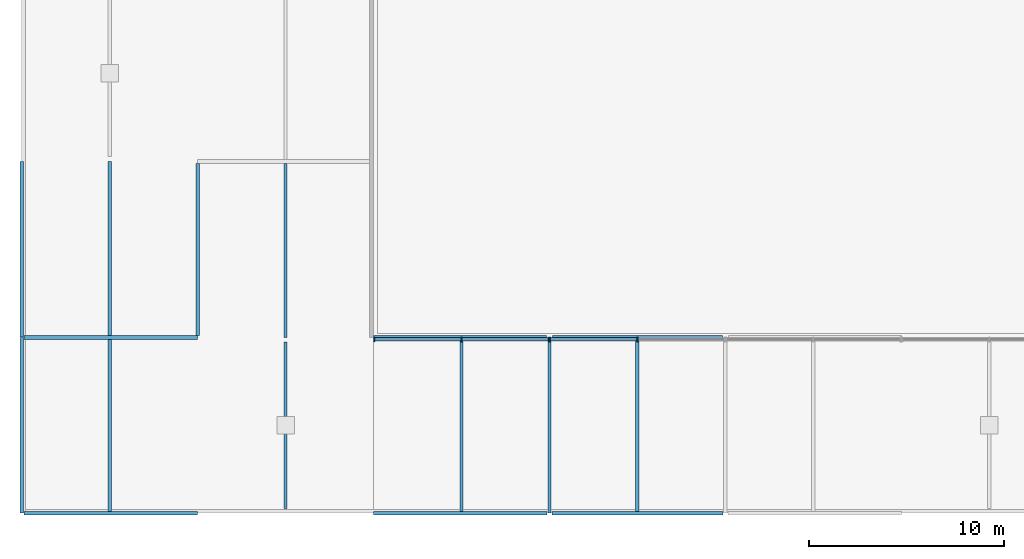
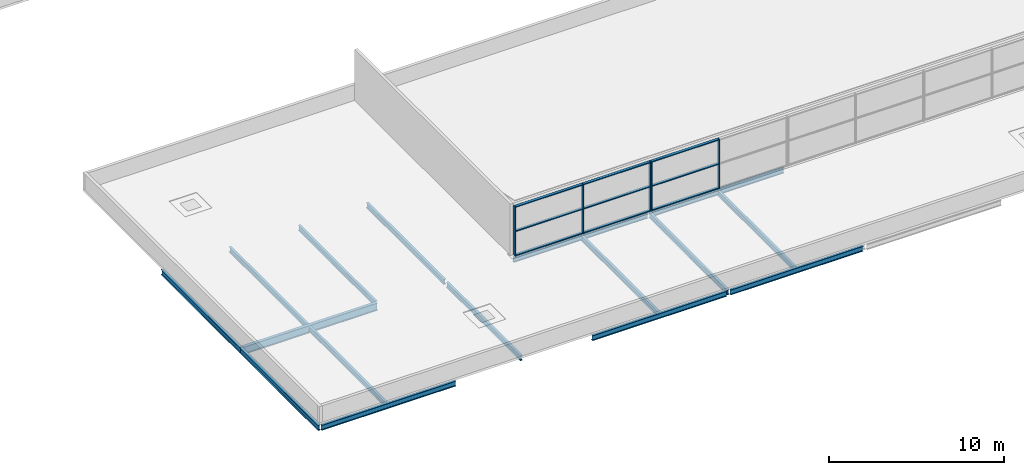
# One storey, part 5 of 50: 16 beams, 14 members, 2 elements without a shape of their own.
"""IFC4 building model written with IfcOpenShell, lengths in metres."""

import ifcopenshell
import ifcopenshell.guid

model = None  # the IFC model being written
_history = None  # IfcOwnerHistory: only IFC2X3 demands one
_inside = {}  # id of a spatial element -> (the spatial element, [elements in it])
_under = {}  # id of a project, library or spatial element -> (it, [spatial elements below it])
_declared = {}  # id of a project -> (the project, [libraries it declares])
_typed = {}  # id of a type object -> (the type object, [elements of that type])
_made_of = {}  # id of a material, layer set ... -> (it, [elements and type objects made of it])


def new_model(schema):
    """Start an empty IFC model of exactly this schema.

    Asked for "IFC4X3", IfcOpenShell would pick the latest addendum, in which some entities
    have other attributes; the version numbers below select the first issue.
    IFC2X3 requires an IfcOwnerHistory on every rooted entity: one is made here for all.
    """
    global model, _history
    if schema == "IFC4X3":
        model = ifcopenshell.file(schema_version=(4, 3, 0, 0))
    else:
        model = ifcopenshell.file(schema=schema)
    _inside.clear()
    _under.clear()
    _declared.clear()
    _typed.clear()
    _made_of.clear()
    _history = None
    if model.schema == "IFC2X3":
        org = make("IfcOrganization", Name="unknown")
        user = make(
            "IfcPersonAndOrganization",
            ThePerson=make("IfcPerson", FamilyName="unknown"),
            TheOrganization=org,
        )
        app = make(
            "IfcApplication",
            ApplicationDeveloper=org,
            Version="unknown",
            ApplicationFullName="unknown",
            ApplicationIdentifier="unknown",
        )
        _history = make(
            "IfcOwnerHistory",
            OwningUser=user,
            OwningApplication=app,
            ChangeAction="ADDED",
            CreationDate=0,
        )
    return model


def make(cls, **values):
    """One entity of the class cls with the attributes given. An attribute that is None is left unset."""
    return model.create_entity(
        cls, **{name: value for name, value in values.items() if value is not None}
    )


def rooted(cls, **values):
    """An entity with a GlobalId (a new one), such as an element, a storey or a relation."""
    return make(cls, GlobalId=ifcopenshell.guid.new(), OwnerHistory=_history, **values)


def si_unit(unit_type, name, prefix=None):
    """IfcSIUnit, for example si_unit("LENGTHUNIT", "METRE", prefix="MILLI")."""
    return make("IfcSIUnit", UnitType=unit_type, Prefix=prefix, Name=name)


def assignment(units):
    """IfcUnitAssignment: the units of a project."""
    return None if units is None else make("IfcUnitAssignment", Units=units)


def point(xyz):
    """IfcCartesianPoint."""
    return None if xyz is None else make("IfcCartesianPoint", Coordinates=xyz)


def direction(xyz):
    """IfcDirection."""
    return None if xyz is None else make("IfcDirection", DirectionRatios=xyz)


def frame(location, z_axis=None, x_axis=None):
    """IfcAxis2Placement3D, a coordinate frame: its origin and axes. An axis left out is left unset."""
    return make(
        "IfcAxis2Placement3D",
        Location=point(location),
        Axis=direction(z_axis),
        RefDirection=direction(x_axis),
    )


def frame_2d(location, x_axis=None):
    """IfcAxis2Placement2D, a coordinate frame in the plane: its origin and x axis."""
    return make(
        "IfcAxis2Placement2D", Location=point(location), RefDirection=direction(x_axis)
    )


def origin():
    """The frame at (0, 0, 0) with its axes left unset."""
    return frame((0.0, 0.0, 0.0))


def origin_2d():
    """The frame at (0, 0) in the plane with its x axis left unset."""
    return frame_2d((0.0, 0.0))


def place(relative_to, where):
    """IfcLocalPlacement: puts the frame where relative to a parent placement (None: the world)."""
    return make(
        "IfcLocalPlacement", PlacementRelTo=relative_to, RelativePlacement=where
    )


def context(
    kind, dimensions, precision=None, world=None, true_north=None, identifier=None
):
    """IfcGeometricRepresentationContext, for example the 3D "Model" context."""
    return make(
        "IfcGeometricRepresentationContext",
        ContextIdentifier=identifier,
        ContextType=kind,
        CoordinateSpaceDimension=dimensions,
        Precision=precision,
        WorldCoordinateSystem=world,
        TrueNorth=true_north,
    )


def subcontext(parent, identifier, kind, view, scale=None):
    """IfcGeometricRepresentationSubContext, for example "Body" below "Model"."""
    return make(
        "IfcGeometricRepresentationSubContext",
        ContextIdentifier=identifier,
        ContextType=kind,
        ParentContext=parent,
        TargetScale=scale,
        TargetView=view,
    )


def project(units=None, contexts=None):
    """IfcProject with its units and contexts."""
    return rooted(
        "IfcProject",
        Name="project",
        RepresentationContexts=contexts,
        UnitsInContext=assignment(units),
    )


def spatial(cls, under=None, at=None, **own):
    """A site, building, storey or space (cls), placed at a placement, below another one or the project."""
    s = rooted(cls, ObjectPlacement=at, **own)
    if under is not None:
        _under.setdefault(under.id(), (under, []))[1].append(s)
    return s


def profile(cls, at=None, kind="AREA", **sizes):
    """A parametric profile (cls). Its sizes go by their IFC names, for example OverallWidth=200.0."""
    return make(cls, ProfileType=kind, Position=at, **sizes)


def rectangle(**sizes):
    """IfcRectangleProfileDef."""
    return profile("IfcRectangleProfileDef", **sizes)


def i_section(**sizes):
    """IfcIShapeProfileDef."""
    return profile("IfcIShapeProfileDef", **sizes)


def extrude(swept, where, along, depth):
    """IfcExtrudedAreaSolid: the profile swept, set in the frame where, extruded along a direction by depth."""
    return make(
        "IfcExtrudedAreaSolid",
        SweptArea=swept,
        Position=where,
        ExtrudedDirection=direction(along),
        Depth=depth,
    )


def shape(context_of_items, identifier, shape_type, items):
    """IfcShapeRepresentation: the items that make up one representation, for example the "Body"."""
    return make(
        "IfcShapeRepresentation",
        ContextOfItems=context_of_items,
        RepresentationIdentifier=identifier,
        RepresentationType=shape_type,
        Items=items,
    )


def material(Name=None, Category=None):
    """IfcMaterial."""
    return make("IfcMaterial", Name=Name, Category=Category)


def layer(
    of_material, thickness, ventilated=None, Name=None, Category=None, Priority=None
):
    """IfcMaterialLayer: one layer of a wall or slab, of a material (None: an air gap)."""
    return make(
        "IfcMaterialLayer",
        Material=of_material,
        LayerThickness=thickness,
        IsVentilated=ventilated,
        Name=Name,
        Category=Category,
        Priority=Priority,
    )


def layer_set(layers, Name=None):
    """IfcMaterialLayerSet."""
    return make("IfcMaterialLayerSet", MaterialLayers=layers, LayerSetName=Name)


def material_profile(
    of_material, cross_section, Name=None, Category=None, Priority=None
):
    """IfcMaterialProfile: a cross section and its material."""
    return make(
        "IfcMaterialProfile",
        Name=Name,
        Material=of_material,
        Profile=cross_section,
        Priority=Priority,
        Category=Category,
    )


def profile_set(profiles, Name=None, composite=None):
    """IfcMaterialProfileSet."""
    return make(
        "IfcMaterialProfileSet",
        Name=Name,
        MaterialProfiles=profiles,
        CompositeProfile=composite,
    )


def made_of(thing, what):
    """Note that an element or type object is made of a material, layer set ...; save() writes the relation."""
    if what is not None:
        _made_of.setdefault(what.id(), (what, []))[1].append(thing)
    return thing


def type_object(cls, material=None, **own):
    """A type object (cls), such as IfcWallType, which elements share."""
    return made_of(rooted(cls, **own), material)


def element(
    cls,
    number,
    at=None,
    inside=None,
    cuts=None,
    type_object=None,
    material=None,
    context=None,
    identifier="Body",
    shape_type=None,
    held_by="IfcProductDefinitionShape",
    body=None,
    shapes=None,
    **own,
):
    """One element of the class cls, such as IfcWall. Its Tag is "e" and its number.

    at: its placement. inside: the storey or other place that contains it. cuts: it is an
    opening in that element (IfcRelVoidsElement). A single representation is given by context,
    identifier, shape_type and body (its items); several are given by shapes. held_by: the class
    of the entity that holds the representations. save() writes the other relations.
    """
    e = rooted(cls, Tag="e%d" % number, ObjectPlacement=at, **own)
    if body is not None:
        shapes = [shape(context, identifier, shape_type, body)]
    if shapes is not None:
        e.Representation = make(held_by, Representations=shapes)
    if inside is not None:
        _inside.setdefault(inside.id(), (inside, []))[1].append(e)
    if cuts is not None:
        rooted(
            "IfcRelVoidsElement", RelatingBuildingElement=cuts, RelatedOpeningElement=e
        )
    if type_object is not None:
        _typed.setdefault(type_object.id(), (type_object, []))[1].append(e)
    return made_of(e, material)


def aggregate(whole, parts):
    """IfcRelAggregates: a whole, such as a stair, and the parts it consists of."""
    return rooted("IfcRelAggregates", RelatingObject=whole, RelatedObjects=parts)


def save(model, path):
    """Write the relations noted so far, then the file.

    IfcRelAggregates (storeys below a building ...), IfcRelContainedInSpatialStructure (elements
    in a storey), IfcRelDefinesByType, IfcRelAssociatesMaterial and IfcRelDeclares: one each for
    every whole, place, type object, material and project.
    """
    for whole, parts in _under.values():
        aggregate(whole, parts)
    for where, things in _inside.values():
        rooted(
            "IfcRelContainedInSpatialStructure",
            RelatedElements=things,
            RelatingStructure=where,
        )
    for kind, things in _typed.values():
        rooted("IfcRelDefinesByType", RelatedObjects=things, RelatingType=kind)
    for what, things in _made_of.values():
        rooted("IfcRelAssociatesMaterial", RelatedObjects=things, RelatingMaterial=what)
    for by, libraries in _declared.values():
        rooted("IfcRelDeclares", RelatingContext=by, RelatedDefinitions=libraries)
    model.write(path)


model = new_model("IFC4")

# Units and contexts
model_context = context("Model", 3, precision=1e-05, world=origin(), true_north=direction((0.0, 1.0)))
body_context = subcontext(model_context, "Body", "Model", "MODEL_VIEW")
ifc_project = project(units=[si_unit("LENGTHUNIT", "METRE"), si_unit("AREAUNIT", "SQUARE_METRE"), si_unit("VOLUMEUNIT", "CUBIC_METRE"), si_unit("PLANEANGLEUNIT", "RADIAN"), si_unit("MASSUNIT", "GRAM", prefix="KILO")], contexts=[model_context])

# Site, building, storey
site_placement = place(None, origin())
site = spatial("IfcSite", under=ifc_project, at=site_placement, CompositionType="ELEMENT")
building_placement = place(site_placement, origin())
building = spatial("IfcBuilding", under=site, at=building_placement, Name="Corbel Yard City Hall", CompositionType="ELEMENT")
storey_placement = place(building_placement, frame((0.0, 0.0, 15.0)))
storey = spatial("IfcBuildingStorey", under=building, at=storey_placement, Name="L03", CompositionType="ELEMENT", Elevation=15.0)

# Beams
ifc_material_1 = material(Name="Steel Grade 300 (300 MPa yield)", Category="steel")
ifc_material_profile_1 = material_profile(ifc_material_1, i_section(OverallWidth=0.1708984375, OverallDepth=0.35205078125, WebThickness=0.0068359375, FlangeThickness=0.009765625, at=origin_2d()), Name="360UB44.7")
ifc_profile_set_1 = profile_set([ifc_material_profile_1], Name="Steel Grade 300 (300 MPa yield)")
beam_type_1 = type_object("IfcBeamType", Name="Beam 360UB44.7", PredefinedType="BEAM", material=ifc_profile_set_1)
beam_1_placement = place(storey_placement, frame((9.0, 9.1044921875, -0.325927734375), z_axis=(0.0, 1.0, 0.0), x_axis=(-1.0, 0.0, 0.0)))
element("IfcBeam", 1, at=beam_1_placement, inside=storey, type_object=beam_type_1, Name="Beam 360UB44.7 SB13 L03roof", PredefinedType="BEAM", context=body_context, shape_type="SweptSolid", body=[
    extrude(i_section(OverallWidth=0.1708984375, OverallDepth=0.35205078125, WebThickness=0.0068359375, FlangeThickness=0.009765625, at=origin_2d()), origin(), (0.0, 0.0, 1.0), 8.791015625),
])
beam_2_placement = place(storey_placement, frame((27.0, 0.00439453125, -0.325927734375), z_axis=(0.0, 1.0, 0.0), x_axis=(-1.0, 0.0, 0.0)))
element("IfcBeam", 2, at=beam_2_placement, inside=storey, type_object=beam_type_1, Name="Beam 360UB44.7 SB13 L03roof", PredefinedType="BEAM", context=body_context, shape_type="SweptSolid", body=[
    extrude(i_section(OverallWidth=0.1708984375, OverallDepth=0.35205078125, WebThickness=0.0068359375, FlangeThickness=0.009765625, at=origin_2d()), origin(), (0.0, 0.0, 1.0), 8.99072265625),
])
ifc_material_profile_2 = material_profile(ifc_material_1, i_section(OverallWidth=0.172119140625, OverallDepth=0.35888671875, WebThickness=0.008056640625, FlangeThickness=0.012939453125, at=origin_2d()), Name="360UB56.7")
ifc_profile_set_2 = profile_set([ifc_material_profile_2], Name="Steel Grade 300 (300 MPa yield)")
beam_type_2 = type_object("IfcBeamType", Name="Edge beam 360UB56.7", PredefinedType="BEAM", material=ifc_profile_set_2)
for number, where, z_axis, x_axis, name in (
    (3, (0.126953125, 0.0, -0.32958984375), (1.0, 0.0, 0.0), (0.0, 1.0, 0.0), "Edge beam 360UB56.7 EB4 L03roof"),
    (4, (18.0, 0.0, -0.32958984375), (1.0, 0.0, 0.0), (0.0, 1.0, 0.0), "Edge beam 360UB56.7 EB4 L03roof"),
):
    element("IfcBeam", number, at=place(storey_placement, frame(where, z_axis=z_axis, x_axis=x_axis)), inside=storey, type_object=beam_type_2, Name=name, PredefinedType="BEAM", context=body_context, shape_type="SweptSolid", body=[
        extrude(i_section(OverallWidth=0.172119140625, OverallDepth=0.35888671875, WebThickness=0.008056640625, FlangeThickness=0.012939453125, at=origin_2d()), origin(), (0.0, 0.0, 1.0), 8.873046875),
    ])
beam_3_placement = place(storey_placement, frame((27.126953125, 0.0, -0.32958984375), z_axis=(1.0, 0.0, 0.0), x_axis=(0.0, 1.0, 0.0)))
element("IfcBeam", 5, at=beam_3_placement, inside=storey, type_object=beam_type_2, Name="Edge beam 360UB56.7 EB4 L03roof", PredefinedType="BEAM", context=body_context, shape_type="SweptSolid", body=[
    extrude(i_section(OverallWidth=0.172119140625, OverallDepth=0.35888671875, WebThickness=0.008056640625, FlangeThickness=0.012939453125, at=origin_2d()), origin(), (0.0, 0.0, 1.0), 8.74609375),
])
beam_4_placement = place(storey_placement, frame((18.0, 9.0, -0.32958984375), z_axis=(1.0, 0.0, 0.0), x_axis=(0.0, 1.0, 0.0)))
element("IfcBeam", 6, at=beam_4_placement, inside=storey, type_object=beam_type_2, Name="Edge beam 360UB56.7 EB4 L03roof", PredefinedType="BEAM", context=body_context, shape_type="SweptSolid", body=[
    extrude(i_section(OverallWidth=0.172119140625, OverallDepth=0.35888671875, WebThickness=0.008056640625, FlangeThickness=0.012939453125, at=origin_2d()), origin(), (0.0, 0.0, 1.0), 8.845947265625),
])
beam_5_placement = place(storey_placement, frame((27.154052734375, 9.0, -0.32958984375), z_axis=(1.0, 0.0, 0.0), x_axis=(0.0, 1.0, 0.0)))
element("IfcBeam", 7, at=beam_5_placement, inside=storey, type_object=beam_type_2, Name="Edge beam 360UB56.7 EB4 L03roof", PredefinedType="BEAM", context=body_context, shape_type="SweptSolid", body=[
    extrude(i_section(OverallWidth=0.172119140625, OverallDepth=0.35888671875, WebThickness=0.008056640625, FlangeThickness=0.012939453125, at=origin_2d()), origin(), (0.0, 0.0, 1.0), 8.69189453125),
])
beam_6_placement = place(storey_placement, frame((0.0, 0.00439453125, -0.32958984375), z_axis=(0.0, 1.0, 0.0), x_axis=(-1.0, 0.0, 0.0)))
element("IfcBeam", 8, at=beam_6_placement, inside=storey, type_object=beam_type_2, Name="Edge beam 360UB56.7 EB4 L03roof", PredefinedType="BEAM", context=body_context, shape_type="SweptSolid", body=[
    extrude(i_section(OverallWidth=0.172119140625, OverallDepth=0.35888671875, WebThickness=0.008056640625, FlangeThickness=0.012939453125, at=origin_2d()), origin(), (0.0, 0.0, 1.0), 8.9912109375),
])
beam_7_placement = place(storey_placement, frame((0.0, 9.00439453125, -0.32958984375), z_axis=(0.0, 1.0, 0.0), x_axis=(-1.0, 0.0, 0.0)))
element("IfcBeam", 9, at=beam_7_placement, inside=storey, type_object=beam_type_2, Name="Edge beam 360UB56.7 EB4 L03roof", PredefinedType="BEAM", context=body_context, shape_type="SweptSolid", body=[
    extrude(i_section(OverallWidth=0.172119140625, OverallDepth=0.35888671875, WebThickness=0.008056640625, FlangeThickness=0.012939453125, at=origin_2d()), origin(), (0.0, 0.0, 1.0), 8.99560546875),
])
ifc_material_profile_3 = material_profile(ifc_material_1, i_section(OverallWidth=0.208984375, OverallDepth=0.528076171875, WebThickness=0.009521484375, FlangeThickness=0.01318359375, at=origin_2d()), Name="530UB82.0")
ifc_profile_set_3 = profile_set([ifc_material_profile_3], Name="Steel Grade 300 (300 MPa yield)")
beam_type_3 = type_object("IfcBeamType", Name="Girder 530UB82.0", PredefinedType="BEAM", material=ifc_profile_set_3)
beam_8_placement = place(storey_placement, frame((0.126953125, 9.0, -0.4140625), z_axis=(1.0, 0.0, 0.0), x_axis=(0.0, 1.0, 0.0)))
element("IfcBeam", 10, at=beam_8_placement, inside=storey, type_object=beam_type_3, Name="Girder 530UB82.0 GB3 L03roof", PredefinedType="BEAM", context=body_context, shape_type="SweptSolid", body=[
    extrude(i_section(OverallWidth=0.208984375, OverallDepth=0.528076171875, WebThickness=0.009521484375, FlangeThickness=0.01318359375, at=origin_2d()), origin(), (0.0, 0.0, 1.0), 8.873046875),
])

# Curtain wall, members
ifc_material_2 = material(Name="Aluminium extrusion", Category="aluminium")
ifc_layer = layer(ifc_material_2, 0.219970703125)
ifc_layer_set = layer_set([ifc_layer], Name="Aluminium extrusion")
curtain_wall_type = type_object("IfcCurtainWallType", Name="CW5", PredefinedType="USERDEFINED", material=ifc_layer_set)
curtain_wall_1_placement = place(storey_placement, origin())
curtain_wall_1 = element("IfcCurtainWall", 11, at=curtain_wall_1_placement, inside=storey, type_object=curtain_wall_type, Name="Hall south clerestory curtain wall", ObjectType="CURTAIN WALL", PredefinedType="USERDEFINED")
ifc_material_profile_4 = material_profile(ifc_material_2, rectangle(XDim=0.219970703125, YDim=0.06494140625, at=origin_2d()), Name="220x65")
ifc_profile_set_4 = profile_set([ifc_material_profile_4], Name="Aluminium extrusion")
member_type_1 = type_object("IfcMemberType", Name="ML5", PredefinedType="MULLION", material=ifc_profile_set_4)
member_1_placement = place(storey_placement, frame((18.032470703125, 8.889892578125, 0.0), z_axis=(0.0, 0.0, 1.0), x_axis=(0.0, 1.0, 0.0)))
member_1 = element("IfcMember", 12, at=member_1_placement, type_object=member_type_1, Name="CW5 mullion 1", PredefinedType="MULLION", context=body_context, shape_type="SweptSolid", body=[
    extrude(rectangle(XDim=0.219970703125, YDim=0.06494140625, at=origin_2d()), origin(), (0.0, 0.0, 1.0), 3.449951171875),
])
member_2_placement = place(storey_placement, frame((22.5, 8.889892578125, 0.0), z_axis=(0.0, 0.0, 1.0), x_axis=(0.0, 1.0, 0.0)))
member_2 = element("IfcMember", 13, at=member_2_placement, type_object=member_type_1, Name="CW5 mullion 2", PredefinedType="MULLION", context=body_context, shape_type="SweptSolid", body=[
    extrude(rectangle(XDim=0.219970703125, YDim=0.06494140625, at=origin_2d()), origin(), (0.0, 0.0, 1.0), 3.449951171875),
])
member_3_placement = place(storey_placement, frame((26.967529296875, 8.889892578125, 0.0), z_axis=(0.0, 0.0, 1.0), x_axis=(0.0, 1.0, 0.0)))
member_3 = element("IfcMember", 14, at=member_3_placement, type_object=member_type_1, Name="CW5 mullion 3", PredefinedType="MULLION", context=body_context, shape_type="SweptSolid", body=[
    extrude(rectangle(XDim=0.219970703125, YDim=0.06494140625, at=origin_2d()), origin(), (0.0, 0.0, 1.0), 3.449951171875),
])

curtain_wall_2_placement = place(storey_placement, origin())
curtain_wall_2 = element("IfcCurtainWall", 15, at=curtain_wall_2_placement, inside=storey, type_object=curtain_wall_type, Name="Hall south clerestory curtain wall", ObjectType="CURTAIN WALL", PredefinedType="USERDEFINED")
member_4_placement = place(storey_placement, frame((27.032470703125, 8.889892578125, 0.0), z_axis=(0.0, 0.0, 1.0), x_axis=(0.0, 1.0, 0.0)))
member_4 = element("IfcMember", 16, at=member_4_placement, type_object=member_type_1, Name="CW5 mullion 1", PredefinedType="MULLION", context=body_context, shape_type="SweptSolid", body=[
    extrude(rectangle(XDim=0.219970703125, YDim=0.06494140625, at=origin_2d()), origin(), (0.0, 0.0, 1.0), 3.449951171875),
])
member_5_placement = place(storey_placement, frame((31.5, 8.889892578125, 0.0), z_axis=(0.0, 0.0, 1.0), x_axis=(0.0, 1.0, 0.0)))
member_5 = element("IfcMember", 17, at=member_5_placement, type_object=member_type_1, Name="CW5 mullion 2", PredefinedType="MULLION", context=body_context, shape_type="SweptSolid", body=[
    extrude(rectangle(XDim=0.219970703125, YDim=0.06494140625, at=origin_2d()), origin(), (0.0, 0.0, 1.0), 3.449951171875),
])

# Beams
ifc_material_profile_5 = material_profile(ifc_material_1, i_section(OverallWidth=0.1708984375, OverallDepth=0.35205078125, WebThickness=0.0068359375, FlangeThickness=0.009765625, at=origin_2d()), Name="360UB44.7")
ifc_profile_set_5 = profile_set([ifc_material_profile_5], Name="Steel Grade 300 (300 MPa yield)")
beam_type_4 = type_object("IfcBeamType", Name="Secondary beam 360UB44.7", PredefinedType="JOIST", material=ifc_profile_set_5)
beam_9_placement = place(storey_placement, frame((4.5, 0.0859375, -0.325927734375), z_axis=(0.0, 1.0, 0.0), x_axis=(-1.0, 0.0, 0.0)))
element("IfcBeam", 18, at=beam_9_placement, inside=storey, type_object=beam_type_4, Name="Secondary beam 360UB44.7 SB11 L03roof", PredefinedType="JOIST", context=body_context, shape_type="SweptSolid", body=[
    extrude(i_section(OverallWidth=0.1708984375, OverallDepth=0.35205078125, WebThickness=0.0068359375, FlangeThickness=0.009765625, at=origin_2d()), origin(), (0.0, 0.0, 1.0), 8.8095703125),
])
for number, where, z_axis, x_axis, name in (
    (19, (4.5, 9.1044921875, -0.325927734375), (0.0, 1.0, 0.0), (-1.0, 0.0, 0.0), "Secondary beam 360UB44.7 SB11 L03roof"),
    (20, (13.5, 9.0, -0.325927734375), (0.0, 1.0, 0.0), (-1.0, 0.0, 0.0), "Secondary beam 360UB44.7 SB11 L03roof"),
):
    element("IfcBeam", number, at=place(storey_placement, frame(where, z_axis=z_axis, x_axis=x_axis)), inside=storey, type_object=beam_type_4, Name=name, PredefinedType="JOIST", context=body_context, shape_type="SweptSolid", body=[
        extrude(i_section(OverallWidth=0.1708984375, OverallDepth=0.35205078125, WebThickness=0.0068359375, FlangeThickness=0.009765625, at=origin_2d()), origin(), (0.0, 0.0, 1.0), 8.8955078125),
    ])
for number, where, z_axis, x_axis, name in (
    (21, (22.5, 0.0859375, -0.325927734375), (0.0, 1.0, 0.0), (-1.0, 0.0, 0.0), "Secondary beam 360UB44.7 SB11 L03roof"),
    (22, (31.5, 0.0859375, -0.325927734375), (0.0, 1.0, 0.0), (-1.0, 0.0, 0.0), "Secondary beam 360UB44.7 SB11 L03roof"),
):
    element("IfcBeam", number, at=place(storey_placement, frame(where, z_axis=z_axis, x_axis=x_axis)), inside=storey, type_object=beam_type_4, Name=name, PredefinedType="JOIST", context=body_context, shape_type="SweptSolid", body=[
        extrude(i_section(OverallWidth=0.1708984375, OverallDepth=0.35205078125, WebThickness=0.0068359375, FlangeThickness=0.009765625, at=origin_2d()), origin(), (0.0, 0.0, 1.0), 8.828125),
    ])
beam_10_placement = place(storey_placement, frame((13.5, 0.25, -0.325927734375), z_axis=(0.0, 1.0, 0.0), x_axis=(-1.0, 0.0, 0.0)))
element("IfcBeam", 23, at=beam_10_placement, inside=storey, type_object=beam_type_4, Name="Core roof beam 360UB44.7 SB11 PC-S0", PredefinedType="JOIST", context=body_context, shape_type="SweptSolid", body=[
    extrude(i_section(OverallWidth=0.1708984375, OverallDepth=0.35205078125, WebThickness=0.0068359375, FlangeThickness=0.009765625, at=origin_2d()), origin(), (0.0, 0.0, 1.0), 8.5),
])

# Member
ifc_material_profile_6 = material_profile(ifc_material_2, rectangle(XDim=0.179931640625, YDim=0.06494140625, at=origin_2d()), Name="180x65")
ifc_profile_set_6 = profile_set([ifc_material_profile_6], Name="Aluminium extrusion")
member_type_2 = type_object("IfcMemberType", Name="TR5", PredefinedType="USERDEFINED", material=ifc_profile_set_6)
member_6_placement = place(storey_placement, frame((18.06494140625, 8.889892578125, 0.032470703125), z_axis=(1.0, 0.0, 0.0), x_axis=(0.0, 1.0, 0.0)))
member_6 = element("IfcMember", 24, at=member_6_placement, type_object=member_type_2, Name="CW5 transom 1.1", ObjectType="TRANSOM", PredefinedType="USERDEFINED", context=body_context, shape_type="SweptSolid", body=[
    extrude(rectangle(XDim=0.179931640625, YDim=0.06494140625, at=origin_2d()), origin(), (0.0, 0.0, 1.0), 4.402587890625),
])

member_7_placement = place(storey_placement, frame((18.06494140625, 8.889892578125, 1.72509765625), z_axis=(1.0, 0.0, 0.0), x_axis=(0.0, 1.0, 0.0)))
member_7 = element("IfcMember", 25, at=member_7_placement, type_object=member_type_2, Name="CW5 transom 1.2", ObjectType="TRANSOM", PredefinedType="USERDEFINED", context=body_context, shape_type="SweptSolid", body=[
    extrude(rectangle(XDim=0.179931640625, YDim=0.06494140625, at=origin_2d()), origin(), (0.0, 0.0, 1.0), 4.402587890625),
])

member_8_placement = place(storey_placement, frame((18.06494140625, 8.889892578125, 3.41748046875), z_axis=(1.0, 0.0, 0.0), x_axis=(0.0, 1.0, 0.0)))
member_8 = element("IfcMember", 26, at=member_8_placement, type_object=member_type_2, Name="CW5 transom 1.3", ObjectType="TRANSOM", PredefinedType="USERDEFINED", context=body_context, shape_type="SweptSolid", body=[
    extrude(rectangle(XDim=0.179931640625, YDim=0.06494140625, at=origin_2d()), origin(), (0.0, 0.0, 1.0), 4.402587890625),
])

member_9_placement = place(storey_placement, frame((22.532470703125, 8.889892578125, 0.032470703125), z_axis=(1.0, 0.0, 0.0), x_axis=(0.0, 1.0, 0.0)))
member_9 = element("IfcMember", 27, at=member_9_placement, type_object=member_type_2, Name="CW5 transom 2.1", ObjectType="TRANSOM", PredefinedType="USERDEFINED", context=body_context, shape_type="SweptSolid", body=[
    extrude(rectangle(XDim=0.179931640625, YDim=0.06494140625, at=origin_2d()), origin(), (0.0, 0.0, 1.0), 4.402587890625),
])

member_10_placement = place(storey_placement, frame((22.532470703125, 8.889892578125, 1.72509765625), z_axis=(1.0, 0.0, 0.0), x_axis=(0.0, 1.0, 0.0)))
member_10 = element("IfcMember", 28, at=member_10_placement, type_object=member_type_2, Name="CW5 transom 2.2", ObjectType="TRANSOM", PredefinedType="USERDEFINED", context=body_context, shape_type="SweptSolid", body=[
    extrude(rectangle(XDim=0.179931640625, YDim=0.06494140625, at=origin_2d()), origin(), (0.0, 0.0, 1.0), 4.402587890625),
])

member_11_placement = place(storey_placement, frame((22.532470703125, 8.889892578125, 3.41748046875), z_axis=(1.0, 0.0, 0.0), x_axis=(0.0, 1.0, 0.0)))
member_11 = element("IfcMember", 29, at=member_11_placement, type_object=member_type_2, Name="CW5 transom 2.3", ObjectType="TRANSOM", PredefinedType="USERDEFINED", context=body_context, shape_type="SweptSolid", body=[
    extrude(rectangle(XDim=0.179931640625, YDim=0.06494140625, at=origin_2d()), origin(), (0.0, 0.0, 1.0), 4.402587890625),
])

aggregate(curtain_wall_1, [member_1, member_2, member_3, member_6, member_7, member_8, member_9, member_10, member_11])

member_12_placement = place(storey_placement, frame((27.06494140625, 8.889892578125, 0.032470703125), z_axis=(1.0, 0.0, 0.0), x_axis=(0.0, 1.0, 0.0)))
member_12 = element("IfcMember", 30, at=member_12_placement, type_object=member_type_2, Name="CW5 transom 1.1", ObjectType="TRANSOM", PredefinedType="USERDEFINED", context=body_context, shape_type="SweptSolid", body=[
    extrude(rectangle(XDim=0.179931640625, YDim=0.06494140625, at=origin_2d()), origin(), (0.0, 0.0, 1.0), 4.402587890625),
])

member_13_placement = place(storey_placement, frame((27.06494140625, 8.889892578125, 1.72509765625), z_axis=(1.0, 0.0, 0.0), x_axis=(0.0, 1.0, 0.0)))
member_13 = element("IfcMember", 31, at=member_13_placement, type_object=member_type_2, Name="CW5 transom 1.2", ObjectType="TRANSOM", PredefinedType="USERDEFINED", context=body_context, shape_type="SweptSolid", body=[
    extrude(rectangle(XDim=0.179931640625, YDim=0.06494140625, at=origin_2d()), origin(), (0.0, 0.0, 1.0), 4.402587890625),
])

member_14_placement = place(storey_placement, frame((27.06494140625, 8.889892578125, 3.41748046875), z_axis=(1.0, 0.0, 0.0), x_axis=(0.0, 1.0, 0.0)))
member_14 = element("IfcMember", 32, at=member_14_placement, type_object=member_type_2, Name="CW5 transom 1.3", ObjectType="TRANSOM", PredefinedType="USERDEFINED", context=body_context, shape_type="SweptSolid", body=[
    extrude(rectangle(XDim=0.179931640625, YDim=0.06494140625, at=origin_2d()), origin(), (0.0, 0.0, 1.0), 4.402587890625),
])

aggregate(curtain_wall_2, [member_4, member_5, member_12, member_13, member_14])

save(model, "model.ifc")
